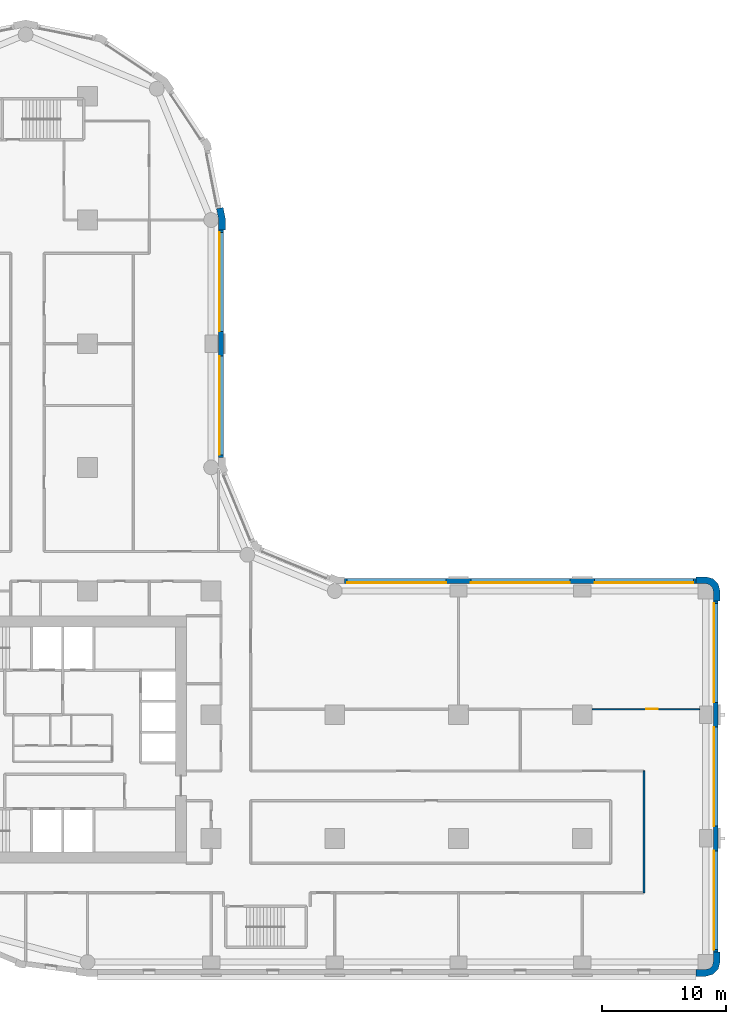
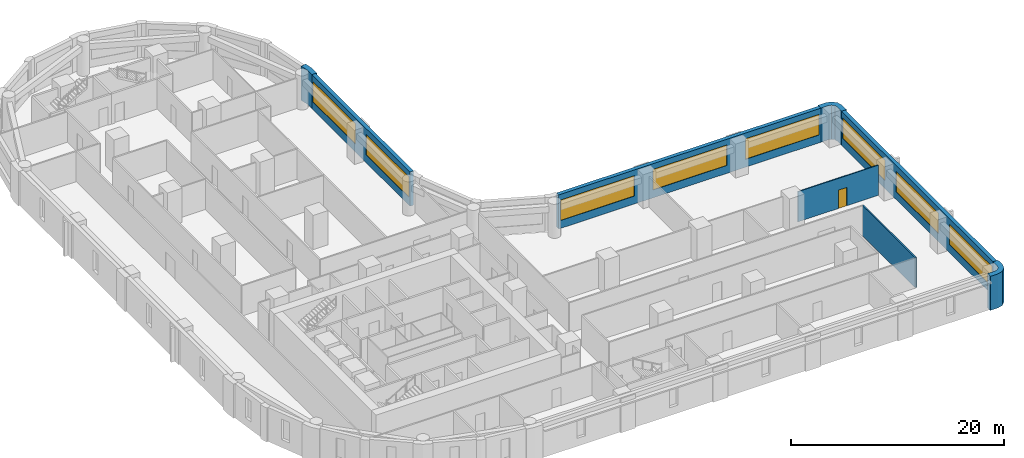
# One storey, part 6 of 10: 8 walls, 8 windows, 1 door, 9 openings.
"""IFC4 building model written with IfcOpenShell, lengths in metres."""

from ifc_helpers import new_model, si_unit, direction, frame, frame_2d, origin, place, context, subcontext, project, spatial, polyline, rectangle, outline, extrude, material, layer, layer_set, type_object, element, fill, save


model = new_model("IFC4")

# Units and contexts
model_context = context("Model", 3, precision=1e-05, world=origin(), true_north=direction((0.0, 1.0)))
body_context = subcontext(model_context, "Body", "Model", "MODEL_VIEW")
ifc_project = project(units=[si_unit("LENGTHUNIT", "METRE"), si_unit("AREAUNIT", "SQUARE_METRE"), si_unit("VOLUMEUNIT", "CUBIC_METRE"), si_unit("PLANEANGLEUNIT", "RADIAN"), si_unit("MASSUNIT", "GRAM", prefix="KILO")], contexts=[model_context])

# Site, building, storey
site_placement = place(None, origin())
site = spatial("IfcSite", under=ifc_project, at=site_placement, CompositionType="ELEMENT")
building_placement = place(site_placement, origin())
building = spatial("IfcBuilding", under=site, at=building_placement, Name="Qaws Garden Tower", CompositionType="ELEMENT")
storey_placement = place(building_placement, frame((0.0, 0.0, 113.39990234375)))
storey = spatial("IfcBuildingStorey", under=building, at=storey_placement, Name="L28", CompositionType="ELEMENT", Elevation=113.39990234375)

# Walls
ifc_material_1 = material(Name="Buff clay facing brick masonry", Category="masonry")
ifc_layer_1 = layer(ifc_material_1, 0.550048828125)
ifc_layer_set_1 = layer_set([ifc_layer_1], Name="Buff clay facing brick masonry")
wall_type_1 = type_object("IfcWallType", Name="Buff brick corner pier 550 x 2400", PredefinedType="SOLIDWALL", material=ifc_layer_set_1)
placement = place(storey_placement, origin())
element("IfcWall", 1, at=placement, inside=storey, type_object=wall_type_1, Name="E-L28-pier-05", PredefinedType="SOLIDWALL", context=body_context, shape_type="SweptSolid", body=[
    extrude(outline(polyline([(69.199951171875, -1.0), (69.199951171875, -1.14990234375), (70.0, -1.14990234375), (70.574951171875, -0.995849609375), (70.995849609375, -0.574951171875), (71.14990234375, 0.0), (71.14990234375, 0.800048828125), (71.0, 0.800048828125), (70.60009765625, 0.800048828125), (70.60009765625, 0.0), (70.51953125, -0.300048828125), (70.300048828125, -0.51953125), (70.0, -0.60009765625), (69.199951171875, -0.60009765625), (69.199951171875, -1.0)])), origin(), (0.0, 0.0, 1.0), 3.900146484375),
])
element("IfcWall", 2, at=placement, inside=storey, type_object=wall_type_1, Name="E-L28-pier-08", PredefinedType="SOLIDWALL", context=body_context, shape_type="SweptSolid", body=[
    extrude(outline(polyline([(71.0, 29.199951171875), (71.14990234375, 29.199951171875), (71.14990234375, 30.0), (70.995849609375, 30.574951171875), (70.574951171875, 30.995849609375), (70.0, 31.14990234375), (69.199951171875, 31.14990234375), (69.199951171875, 31.0), (69.199951171875, 30.60009765625), (70.0, 30.60009765625), (70.300048828125, 30.51953125), (70.51953125, 30.300048828125), (70.60009765625, 30.0), (70.60009765625, 29.199951171875), (71.0, 29.199951171875)])), origin(), (0.0, 0.0, 1.0), 3.900146484375),
])

# Wall, openings, windows
ifc_material_2 = material(Name="Buff clay facing brick masonry", Category="masonry")
ifc_layer_2 = layer(ifc_material_2, 0.39990234375)
ifc_layer_set_2 = layer_set([ifc_layer_2], Name="Buff clay facing brick masonry")
wall_type_2 = type_object("IfcWallType", Name="Buff brick infill wall 400", PredefinedType="SOLIDWALL", material=ifc_layer_set_2)
wall_3_placement = place(storey_placement, frame((70.800048828125, 0.800048828125, 0.0), z_axis=(0.0, 0.0, 1.0), x_axis=(0.0, 1.0, 0.0)))
wall_3 = element("IfcWall", 3, at=wall_3_placement, inside=storey, type_object=wall_type_2, Name="E-L28-infill-05", PredefinedType="SOLIDWALL", context=body_context, shape_type="SweptSolid", body=[
    extrude(rectangle(XDim=28.39990234375, YDim=0.39990234375, at=frame_2d((14.199951171875, 0.0))), origin(), (0.0, 0.0, 1.0), 3.900146484375),
])
opening_1_placement = place(wall_3_placement, frame((0.199951171875, 0.0, 0.89990234375)))
opening_1 = element("IfcOpeningElement", 4, at=opening_1_placement, cuts=wall_3, Name="Opening W01", PredefinedType="OPENING", context=body_context, shape_type="SweptSolid", body=[
    extrude(rectangle(XDim=8.0, YDim=2.35009765625, at=frame_2d((4.0, 1.175048828125))), frame((0.0, 0.2099609375, 0.0), z_axis=(0.0, -1.0, 0.0), x_axis=(1.0, 0.0, 0.0)), (0.0, 0.0, 1.0), 0.419921875),
])
opening_2_placement = place(wall_3_placement, frame((10.199951171875, 0.0, 0.89990234375)))
opening_2 = element("IfcOpeningElement", 5, at=opening_2_placement, cuts=wall_3, Name="Opening W01", PredefinedType="OPENING", context=body_context, shape_type="SweptSolid", body=[
    extrude(rectangle(XDim=8.0, YDim=2.35009765625, at=frame_2d((4.0, 1.175048828125))), frame((0.0, 0.2099609375, 0.0), z_axis=(0.0, -1.0, 0.0), x_axis=(1.0, 0.0, 0.0)), (0.0, 0.0, 1.0), 0.419921875),
])
opening_3_placement = place(wall_3_placement, frame((20.199951171875, 0.0, 0.89990234375)))
opening_3 = element("IfcOpeningElement", 6, at=opening_3_placement, cuts=wall_3, Name="Opening W01", PredefinedType="OPENING", context=body_context, shape_type="SweptSolid", body=[
    extrude(rectangle(XDim=8.0, YDim=2.35009765625, at=frame_2d((4.0, 1.175048828125))), frame((0.0, 0.2099609375, 0.0), z_axis=(0.0, -1.0, 0.0), x_axis=(1.0, 0.0, 0.0)), (0.0, 0.0, 1.0), 0.419921875),
])
ifc_material_3 = material(Name="Aluminium framed window, clear glazing", Category="aluminium")
window_type = type_object("IfcWindowType", Name="Ribbon window 8000 x 2350", PartitioningType="DOUBLE_PANEL_VERTICAL", PredefinedType="WINDOW", material=ifc_material_3)
window_1_placement = place(opening_1_placement, origin())
window_1 = element("IfcWindow", 7, at=window_1_placement, inside=storey, type_object=window_type, Name="E-L28-window-05-0", OverallHeight=2.35009765625, OverallWidth=8.0, PartitioningType="SINGLE_PANEL", PredefinedType="WINDOW", context=body_context, shape_type="SweptSolid", body=[
    extrude(rectangle(XDim=8.0, YDim=2.35009765625, at=frame_2d((4.0, 1.175048828125))), frame((0.0, 0.159912109375, 0.0), z_axis=(0.0, -1.0, 0.0), x_axis=(1.0, 0.0, 0.0)), (0.0, 0.0, 1.0), 0.06005859375),
])
fill(opening_1, window_1)
window_2_placement = place(opening_2_placement, origin())
window_2 = element("IfcWindow", 8, at=window_2_placement, inside=storey, type_object=window_type, Name="E-L28-window-06-0", OverallHeight=2.35009765625, OverallWidth=8.0, PartitioningType="SINGLE_PANEL", PredefinedType="WINDOW", context=body_context, shape_type="SweptSolid", body=[
    extrude(rectangle(XDim=8.0, YDim=2.35009765625, at=frame_2d((4.0, 1.175048828125))), frame((0.0, 0.159912109375, 0.0), z_axis=(0.0, -1.0, 0.0), x_axis=(1.0, 0.0, 0.0)), (0.0, 0.0, 1.0), 0.06005859375),
])
fill(opening_2, window_2)
window_3_placement = place(opening_3_placement, origin())
window_3 = element("IfcWindow", 9, at=window_3_placement, inside=storey, type_object=window_type, Name="E-L28-window-07-0", OverallHeight=2.35009765625, OverallWidth=8.0, PartitioningType="SINGLE_PANEL", PredefinedType="WINDOW", context=body_context, shape_type="SweptSolid", body=[
    extrude(rectangle(XDim=8.0, YDim=2.35009765625, at=frame_2d((4.0, 1.175048828125))), frame((0.0, 0.159912109375, 0.0), z_axis=(0.0, -1.0, 0.0), x_axis=(1.0, 0.0, 0.0)), (0.0, 0.0, 1.0), 0.06005859375),
])
fill(opening_3, window_3)

wall_4_placement = place(storey_placement, frame((69.199951171875, 30.800048828125, 0.0), z_axis=(0.0, 0.0, 1.0), x_axis=(-1.0, 0.0, 0.0)))
wall_4 = element("IfcWall", 10, at=wall_4_placement, inside=storey, type_object=wall_type_2, Name="E-L28-infill-08", PredefinedType="SOLIDWALL", context=body_context, shape_type="SweptSolid", body=[
    extrude(rectangle(XDim=28.39990234375, YDim=0.39990234375, at=frame_2d((14.199951171875, 0.0))), origin(), (0.0, 0.0, 1.0), 3.900146484375),
])
opening_4_placement = place(wall_4_placement, frame((0.199951171875, 0.0, 0.89990234375)))
opening_4 = element("IfcOpeningElement", 11, at=opening_4_placement, cuts=wall_4, Name="Opening W01", PredefinedType="OPENING", context=body_context, shape_type="SweptSolid", body=[
    extrude(rectangle(XDim=8.0, YDim=2.35009765625, at=frame_2d((4.0, 1.175048828125))), frame((0.0, 0.2099609375, 0.0), z_axis=(0.0, -1.0, 0.0), x_axis=(1.0, 0.0, 0.0)), (0.0, 0.0, 1.0), 0.419921875),
])
opening_5_placement = place(wall_4_placement, frame((10.199951171875, 0.0, 0.89990234375)))
opening_5 = element("IfcOpeningElement", 12, at=opening_5_placement, cuts=wall_4, Name="Opening W01", PredefinedType="OPENING", context=body_context, shape_type="SweptSolid", body=[
    extrude(rectangle(XDim=8.0, YDim=2.35009765625, at=frame_2d((4.0, 1.175048828125))), frame((0.0, 0.2099609375, 0.0), z_axis=(0.0, -1.0, 0.0), x_axis=(1.0, 0.0, 0.0)), (0.0, 0.0, 1.0), 0.419921875),
])
opening_6_placement = place(wall_4_placement, frame((20.199951171875, 0.0, 0.89990234375)))
opening_6 = element("IfcOpeningElement", 13, at=opening_6_placement, cuts=wall_4, Name="Opening W01", PredefinedType="OPENING", context=body_context, shape_type="SweptSolid", body=[
    extrude(rectangle(XDim=8.0, YDim=2.35009765625, at=frame_2d((4.0, 1.175048828125))), frame((0.0, 0.2099609375, 0.0), z_axis=(0.0, -1.0, 0.0), x_axis=(1.0, 0.0, 0.0)), (0.0, 0.0, 1.0), 0.419921875),
])
window_4_placement = place(opening_4_placement, origin())
window_4 = element("IfcWindow", 14, at=window_4_placement, inside=storey, type_object=window_type, Name="E-L28-window-08-0", OverallHeight=2.35009765625, OverallWidth=8.0, PartitioningType="SINGLE_PANEL", PredefinedType="WINDOW", context=body_context, shape_type="SweptSolid", body=[
    extrude(rectangle(XDim=8.0, YDim=2.35009765625, at=frame_2d((4.0, 1.175048828125))), frame((0.0, 0.159912109375, 0.0), z_axis=(0.0, -1.0, 0.0), x_axis=(1.0, 0.0, 0.0)), (0.0, 0.0, 1.0), 0.06005859375),
])
fill(opening_4, window_4)
window_5_placement = place(opening_5_placement, origin())
window_5 = element("IfcWindow", 15, at=window_5_placement, inside=storey, type_object=window_type, Name="E-L28-window-09-0", OverallHeight=2.35009765625, OverallWidth=8.0, PartitioningType="SINGLE_PANEL", PredefinedType="WINDOW", context=body_context, shape_type="SweptSolid", body=[
    extrude(rectangle(XDim=8.0, YDim=2.35009765625, at=frame_2d((4.0, 1.175048828125))), frame((0.0, 0.159912109375, 0.0), z_axis=(0.0, -1.0, 0.0), x_axis=(1.0, 0.0, 0.0)), (0.0, 0.0, 1.0), 0.06005859375),
])
fill(opening_5, window_5)
window_6_placement = place(opening_6_placement, origin())
window_6 = element("IfcWindow", 16, at=window_6_placement, inside=storey, type_object=window_type, Name="E-L28-window-10-0", OverallHeight=2.35009765625, OverallWidth=8.0, PartitioningType="SINGLE_PANEL", PredefinedType="WINDOW", context=body_context, shape_type="SweptSolid", body=[
    extrude(rectangle(XDim=8.0, YDim=2.35009765625, at=frame_2d((4.0, 1.175048828125))), frame((0.0, 0.159912109375, 0.0), z_axis=(0.0, -1.0, 0.0), x_axis=(1.0, 0.0, 0.0)), (0.0, 0.0, 1.0), 0.06005859375),
])
fill(opening_6, window_6)

wall_5_placement = place(storey_placement, frame((30.800048828125, 40.800048828125, 0.0), z_axis=(0.0, 0.0, 1.0), x_axis=(0.0, 1.0, 0.0)))
wall_5 = element("IfcWall", 17, at=wall_5_placement, inside=storey, type_object=wall_type_2, Name="E-L28-infill-13", PredefinedType="SOLIDWALL", context=body_context, shape_type="SweptSolid", body=[
    extrude(rectangle(XDim=18.39990234375, YDim=0.39990234375, at=frame_2d((9.199951171875, 0.0))), origin(), (0.0, 0.0, 1.0), 3.900146484375),
])
opening_7_placement = place(wall_5_placement, frame((0.199951171875, 0.0, 0.89990234375)))
opening_7 = element("IfcOpeningElement", 18, at=opening_7_placement, cuts=wall_5, Name="Opening W01", PredefinedType="OPENING", context=body_context, shape_type="SweptSolid", body=[
    extrude(rectangle(XDim=8.0, YDim=2.35009765625, at=frame_2d((4.0, 1.175048828125))), frame((0.0, 0.2099609375, 0.0), z_axis=(0.0, -1.0, 0.0), x_axis=(1.0, 0.0, 0.0)), (0.0, 0.0, 1.0), 0.419921875),
])
opening_8_placement = place(wall_5_placement, frame((10.199951171875, 0.0, 0.89990234375)))
opening_8 = element("IfcOpeningElement", 19, at=opening_8_placement, cuts=wall_5, Name="Opening W01", PredefinedType="OPENING", context=body_context, shape_type="SweptSolid", body=[
    extrude(rectangle(XDim=8.0, YDim=2.35009765625, at=frame_2d((4.0, 1.175048828125))), frame((0.0, 0.2099609375, 0.0), z_axis=(0.0, -1.0, 0.0), x_axis=(1.0, 0.0, 0.0)), (0.0, 0.0, 1.0), 0.419921875),
])
window_7_placement = place(opening_7_placement, origin())
window_7 = element("IfcWindow", 20, at=window_7_placement, inside=storey, type_object=window_type, Name="E-L28-window-13-0", OverallHeight=2.35009765625, OverallWidth=8.0, PartitioningType="SINGLE_PANEL", PredefinedType="WINDOW", context=body_context, shape_type="SweptSolid", body=[
    extrude(rectangle(XDim=8.0, YDim=2.35009765625, at=frame_2d((4.0, 1.175048828125))), frame((0.0, 0.159912109375, 0.0), z_axis=(0.0, -1.0, 0.0), x_axis=(1.0, 0.0, 0.0)), (0.0, 0.0, 1.0), 0.06005859375),
])
fill(opening_7, window_7)
window_8_placement = place(opening_8_placement, origin())
window_8 = element("IfcWindow", 21, at=window_8_placement, inside=storey, type_object=window_type, Name="E-L28-window-14-0", OverallHeight=2.35009765625, OverallWidth=8.0, PartitioningType="SINGLE_PANEL", PredefinedType="WINDOW", context=body_context, shape_type="SweptSolid", body=[
    extrude(rectangle(XDim=8.0, YDim=2.35009765625, at=frame_2d((4.0, 1.175048828125))), frame((0.0, 0.159912109375, 0.0), z_axis=(0.0, -1.0, 0.0), x_axis=(1.0, 0.0, 0.0)), (0.0, 0.0, 1.0), 0.06005859375),
])
fill(opening_8, window_8)

# Wall
ifc_material_4 = material(Name="Buff clay facing brick masonry", Category="masonry")
ifc_layer_3 = layer(ifc_material_4, 0.550048828125)
ifc_layer_set_3 = layer_set([ifc_layer_3], Name="Buff clay facing brick masonry")
wall_type_3 = type_object("IfcWallType", Name="Buff brick pier 550 x 1600", PredefinedType="SOLIDWALL", material=ifc_layer_set_3)
element("IfcWall", 22, at=placement, inside=storey, type_object=wall_type_3, Name="E-L28-pier-15", PredefinedType="SOLIDWALL", context=body_context, shape_type="SweptSolid", body=[
    extrude(outline(polyline([(31.0, 59.199951171875), (31.14990234375, 59.199951171875), (31.14990234375, 60.11328125), (30.971923828125, 61.009033203125), (30.82470703125, 60.979736328125), (30.432373046875, 60.901611328125), (30.60009765625, 60.05908203125), (30.60009765625, 59.199951171875), (31.0, 59.199951171875)])), origin(), (0.0, 0.0, 1.0), 3.900146484375),
])

# Wall, opening, door
ifc_material_5 = material(Name="Gypsum board partition")
ifc_layer_4 = layer(ifc_material_5, 0.10009765625)
ifc_layer_set_4 = layer_set([ifc_layer_4], Name="Gypsum board partition")
wall_type_4 = type_object("IfcWallType", Name="PARTITION 100", PredefinedType="PARTITIONING", material=ifc_layer_set_4)
wall_7_placement = place(storey_placement, frame((60.800048828125, 20.449951171875, 0.0), z_axis=(0.0, 0.0, 1.0), x_axis=(1.0, 0.0, 0.0)))
wall_7 = element("IfcWall", 23, at=wall_7_placement, inside=storey, type_object=wall_type_4, Name="O-L28-wall-003", PredefinedType="PARTITIONING", context=body_context, shape_type="SweptSolid", body=[
    extrude(rectangle(XDim=8.699951171875, YDim=0.10009765625, at=frame_2d((4.35009765625, 0.0))), origin(), (0.0, 0.0, 1.0), 3.4501953125),
])
opening_9_placement = place(wall_7_placement, frame((4.39990234375, 0.0, 0.0)))
opening_9 = element("IfcOpeningElement", 24, at=opening_9_placement, cuts=wall_7, Name="Opening A927", PredefinedType="OPENING", context=body_context, shape_type="SweptSolid", body=[
    extrude(rectangle(XDim=0.89990234375, YDim=2.10009765625, at=frame_2d((0.449951171875, 1.050048828125))), frame((0.0, 0.06005859375, 0.0), z_axis=(0.0, -1.0, 0.0), x_axis=(1.0, 0.0, 0.0)), (0.0, 0.0, 1.0), 0.1201171875),
])
ifc_material_6 = material(Name="Timber door leaf", Category="wood")
door_type = type_object("IfcDoorType", Name="OFFICE DOOR 900 X 2100", OperationType="SINGLE_SWING_LEFT", PredefinedType="DOOR", material=ifc_material_6)
door_placement = place(opening_9_placement, frame((0.89990234375, 0.0, 0.0), z_axis=(0.0, 0.0, 1.0), x_axis=(-1.0, 0.0, 0.0)))
door = element("IfcDoor", 25, at=door_placement, inside=storey, type_object=door_type, Name="O-L28-door-027", OperationType="SINGLE_SWING_RIGHT", OverallHeight=2.10009765625, OverallWidth=0.89990234375, PredefinedType="DOOR", context=body_context, shape_type="SweptSolid", body=[
    extrude(rectangle(XDim=0.89990234375, YDim=2.10009765625, at=frame_2d((0.449951171875, 1.050048828125))), frame((0.0, 0.02490234375, 0.0), z_axis=(0.0, -1.0, 0.0), x_axis=(1.0, 0.0, 0.0)), (0.0, 0.0, 1.0), 0.050048828125),
])
fill(opening_9, door)

# Wall
ifc_material_7 = material(Name="Gypsum board partition")
ifc_layer_5 = layer(ifc_material_7, 0.14990234375)
ifc_layer_set_5 = layer_set([ifc_layer_5], Name="Gypsum board partition")
wall_type_5 = type_object("IfcWallType", Name="PARTITION 150 EI 60", PredefinedType="PARTITIONING", material=ifc_layer_set_5)
wall_8_placement = place(storey_placement, frame((65.0, 5.60009765625, 0.0), z_axis=(0.0, 0.0, 1.0), x_axis=(0.0, 1.0, 0.0)))
element("IfcWall", 26, at=wall_8_placement, inside=storey, type_object=wall_type_5, Name="O-L28-wall-035", PredefinedType="PARTITIONING", context=body_context, shape_type="SweptSolid", body=[
    extrude(rectangle(XDim=9.849853515625, YDim=0.14990234375, at=frame_2d((4.9248046875, 0.0))), origin(), (0.0, 0.0, 1.0), 3.4501953125),
])

save(model, "model.ifc")
